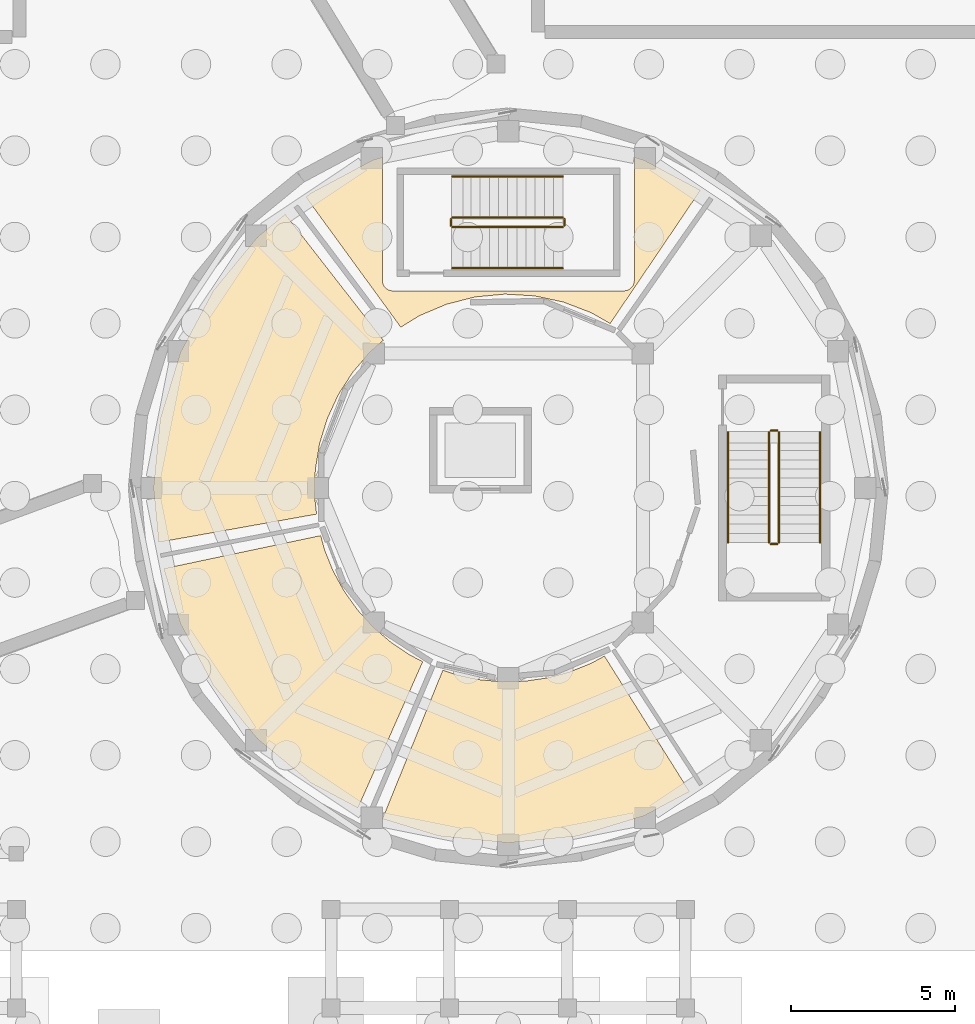
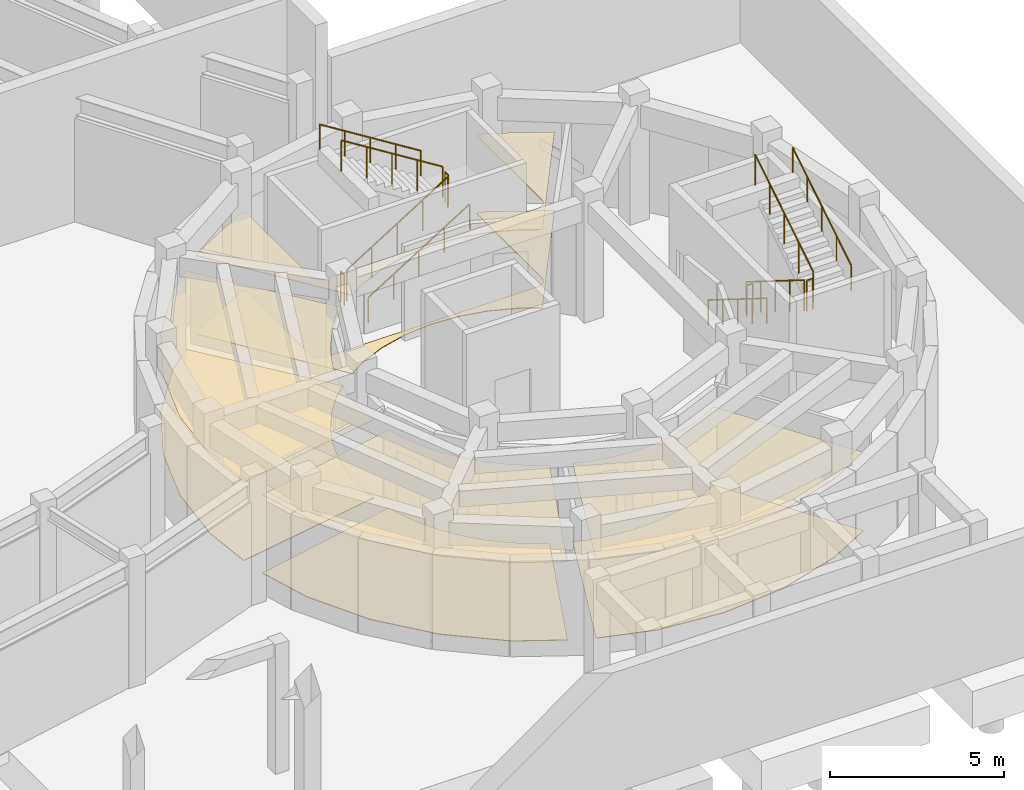
# One storey, part 55 of 57: 12 railings, 8 coverings.
"""IFC4 building model written with IfcOpenShell, lengths in metres."""

from ifc_helpers import new_model, si_unit, direction, frame, origin, origin_2d, place, context, subcontext, project, spatial, polyline, circle, outline, extrude, material, layer, layer_set, type_object, element, save


model = new_model("IFC4")

# Units and contexts
model_context = context("Model", 3, precision=1e-05, world=origin(), true_north=direction((0.0, 1.0)))
body_context = subcontext(model_context, "Body", "Model", "MODEL_VIEW")
ifc_project = project(units=[si_unit("LENGTHUNIT", "METRE"), si_unit("AREAUNIT", "SQUARE_METRE"), si_unit("VOLUMEUNIT", "CUBIC_METRE"), si_unit("PLANEANGLEUNIT", "RADIAN"), si_unit("MASSUNIT", "GRAM", prefix="KILO")], contexts=[model_context])

# Site, building, storey
site_placement = place(None, origin())
site = spatial("IfcSite", under=ifc_project, at=site_placement, CompositionType="ELEMENT")
building_placement = place(site_placement, origin())
building = spatial("IfcBuilding", under=site, at=building_placement, Name="Aldenvaro Health Centre", CompositionType="ELEMENT")
storey_placement = place(building_placement, frame((0.0, 0.0, -4.550048828125)))
storey = spatial("IfcBuildingStorey", under=building, at=storey_placement, Name="B1", CompositionType="ELEMENT", Elevation=-4.550048828125)

# Coverings
ifc_material_1 = material(Name="Antimicrobial Mineral Fibre Ceiling")
ifc_layer_1 = layer(ifc_material_1, 0.01806640625, Name="Antimicrobial Mineral Fibre Ceiling")
ifc_layer_set_1 = layer_set([ifc_layer_1], Name="Antimicrobial Mineral Fibre Ceiling")
covering_type_1 = type_object("IfcCoveringType", Name="COV-CLG-ACT18", PredefinedType="CEILING", material=ifc_layer_set_1)
covering_1_placement = place(storey_placement, frame((0.0, 0.0, 2.75)))
element("IfcCovering", 1, at=covering_1_placement, inside=storey, type_object=covering_type_1, Name="D6-B1-R02 Suspended Ceiling", PredefinedType="CEILING", context=body_context, shape_type="SweptSolid", body=[
    extrude(outline(polyline([(150.283935546875, 22.64111328125), (150.260986328125, 22.616943359375), (149.761962890625, 22.031982421875), (149.742919921875, 22.006103515625), (149.327880859375, 21.35888671875), (149.31201171875, 21.330078125), (148.989013671875, 20.633056640625), (148.97705078125, 20.60302734375), (148.7509765625, 19.867919921875), (148.743896484375, 19.8359375), (148.618896484375, 19.076904296875), (148.615966796875, 19.044921875), (148.594970703125, 18.277099609375), (148.595947265625, 18.243896484375), (148.655029296875, 17.702880859375), (143.843994140625, 16.845947265625), (143.681884765625, 18.5), (143.888916015625, 20.610107421875), (144.5048828125, 22.639892578125), (145.50390625, 24.510009765625), (146.85009765625, 26.14990234375), (147.698974609375, 26.845947265625), (150.68994140625, 23.00390625), (150.283935546875, 22.64111328125)])), origin(), (0.0, 0.0, 1.0), 0.01806640625),
])
covering_2_placement = place(storey_placement, frame((0.0, 0.0, 2.75)))
element("IfcCovering", 2, at=covering_2_placement, inside=storey, type_object=covering_type_1, Name="D6-B1-R03 Suspended Ceiling", PredefinedType="CEILING", context=body_context, shape_type="SweptSolid", body=[
    extrude(outline(polyline([(148.89697265625, 16.62109375), (148.906005859375, 16.593994140625), (149.157958984375, 15.972900390625), (149.169921875, 15.947998046875), (149.492919921875, 15.361083984375), (149.508056640625, 15.3369140625), (149.89794921875, 14.7919921875), (149.916015625, 14.77001953125), (150.367919921875, 14.27490234375), (150.387939453125, 14.2548828125), (150.89501953125, 13.81689453125), (150.91796875, 13.800048828125), (151.472900390625, 13.425048828125), (151.4970703125, 13.409912109375), (151.89208984375, 13.20703125), (149.9140625, 8.742919921875), (148.489990234375, 9.50390625), (146.85009765625, 10.85009765625), (145.50390625, 12.489990234375), (144.5048828125, 14.360107421875), (143.9951171875, 16.041015625), (148.780029296875, 17.049072265625), (148.89697265625, 16.62109375)])), origin(), (0.0, 0.0, 1.0), 0.01806640625),
])
covering_3_placement = place(storey_placement, frame((0.0, 0.0, 2.75)))
element("IfcCovering", 3, at=covering_3_placement, inside=storey, type_object=covering_type_1, Name="D6-B1-R04 Suspended Ceiling", PredefinedType="CEILING", context=body_context, shape_type="SweptSolid", body=[
    extrude(outline(polyline([(152.924072265625, 12.803955078125), (152.951904296875, 12.797119140625), (153.60693359375, 12.657958984375), (153.635009765625, 12.654052734375), (154.302978515625, 12.593994140625), (154.3310546875, 12.593017578125), (155.0009765625, 12.612060546875), (155.029052734375, 12.614013671875), (155.69189453125, 12.7119140625), (155.719970703125, 12.718017578125), (156.366943359375, 12.89306640625), (156.39306640625, 12.902099609375), (157.014892578125, 13.152099609375), (157.041015625, 13.1640625), (157.429931640625, 13.3779296875), (160.02294921875, 9.243896484375), (158.639892578125, 8.5048828125), (156.610107421875, 7.888916015625), (154.5, 7.681884765625), (152.389892578125, 7.888916015625), (150.6630859375, 8.4130859375), (152.50390625, 12.947021484375), (152.924072265625, 12.803955078125)])), origin(), (0.0, 0.0, 1.0), 0.01806640625),
])
ifc_material_2 = material(Name="Hygienic Sealed Gypsum Ceiling")
ifc_layer_2 = layer(ifc_material_2, 0.02490234375, Name="Hygienic Sealed Gypsum Ceiling")
ifc_layer_set_2 = layer_set([ifc_layer_2], Name="Hygienic Sealed Gypsum Ceiling")
covering_type_2 = type_object("IfcCoveringType", Name="COV-CLG-GYP25", PredefinedType="CEILING", material=ifc_layer_set_2)
covering_4_placement = place(storey_placement, frame((0.0, 0.0, 2.75)))
element("IfcCovering", 4, at=covering_4_placement, inside=storey, type_object=covering_type_2, Name="D6-B1-R01 Suspended Ceiling", PredefinedType="CEILING", context=body_context, shape_type="SweptSolid", body=[
    extrude(outline(polyline([(157.0439453125, 23.833984375), (157.028076171875, 23.842041015625), (157.010986328125, 23.84912109375), (156.200927734375, 24.158935546875), (156.18310546875, 24.1650390625), (156.166015625, 24.169921875), (155.318115234375, 24.35205078125), (155.300048828125, 24.35595703125), (155.281005859375, 24.35693359375), (154.4150390625, 24.408935546875), (154.39697265625, 24.408935546875), (154.37890625, 24.407958984375), (153.514892578125, 24.326904296875), (153.4970703125, 24.323974609375), (153.47900390625, 24.320068359375), (152.636962890625, 24.10791015625), (152.6201171875, 24.10302734375), (152.60302734375, 24.095947265625), (151.803955078125, 23.758056640625), (151.787109375, 23.7509765625), (151.77099609375, 23.740966796875), (151.221923828125, 23.402099609375), (148.33203125, 27.365966796875), (148.489990234375, 27.49609375), (150.360107421875, 28.4951171875), (150.659912109375, 28.5859375), (150.659912109375, 24.830078125), (150.659912109375, 24.818115234375), (150.660888671875, 24.81005859375), (150.6630859375, 24.787109375), (150.6640625, 24.779052734375), (150.6689453125, 24.756103515625), (150.6708984375, 24.748046875), (150.677001953125, 24.72607421875), (150.679931640625, 24.718994140625), (150.68896484375, 24.697021484375), (150.69189453125, 24.68994140625), (150.7041015625, 24.6689453125), (150.7080078125, 24.662109375), (150.720947265625, 24.64306640625), (150.72509765625, 24.635986328125), (150.739990234375, 24.617919921875), (150.74609375, 24.612060546875), (150.761962890625, 24.595947265625), (150.76806640625, 24.590087890625), (150.785888671875, 24.574951171875), (150.79296875, 24.571044921875), (150.81201171875, 24.55810546875), (150.819091796875, 24.553955078125), (150.840087890625, 24.5419921875), (150.846923828125, 24.5390625), (150.868896484375, 24.530029296875), (150.8759765625, 24.527099609375), (150.89794921875, 24.52099609375), (150.906005859375, 24.51904296875), (150.928955078125, 24.513916015625), (150.93701171875, 24.512939453125), (150.9599609375, 24.510986328125), (150.968017578125, 24.510009765625), (150.97998046875, 24.510009765625), (158.02001953125, 24.510009765625), (158.031982421875, 24.510009765625), (158.0400390625, 24.510986328125), (158.06298828125, 24.512939453125), (158.071044921875, 24.513916015625), (158.093994140625, 24.51904296875), (158.10205078125, 24.52099609375), (158.1240234375, 24.527099609375), (158.131103515625, 24.530029296875), (158.153076171875, 24.5390625), (158.159912109375, 24.5419921875), (158.180908203125, 24.553955078125), (158.18798828125, 24.55810546875), (158.20703125, 24.571044921875), (158.214111328125, 24.574951171875), (158.23193359375, 24.590087890625), (158.238037109375, 24.595947265625), (158.25390625, 24.612060546875), (158.260009765625, 24.617919921875), (158.27490234375, 24.635986328125), (158.279052734375, 24.64306640625), (158.2919921875, 24.662109375), (158.2958984375, 24.6689453125), (158.30810546875, 24.68994140625), (158.31103515625, 24.697021484375), (158.320068359375, 24.718994140625), (158.322998046875, 24.72607421875), (158.3291015625, 24.748046875), (158.3310546875, 24.756103515625), (158.3359375, 24.779052734375), (158.3369140625, 24.787109375), (158.339111328125, 24.81005859375), (158.340087890625, 24.818115234375), (158.340087890625, 24.830078125), (158.340087890625, 28.5859375), (158.639892578125, 28.4951171875), (160.35595703125, 27.577880859375), (157.60498046875, 23.513916015625), (157.0439453125, 23.833984375)])), origin(), (0.0, 0.0, 1.0), 0.025146484375),
])
ifc_material_3 = material(Name="Polished Epoxy Terrazzo Flooring")
ifc_layer_3 = layer(ifc_material_3, 0.02197265625, Name="Polished Epoxy Terrazzo Flooring")
ifc_layer_set_3 = layer_set([ifc_layer_3], Name="Polished Epoxy Terrazzo Flooring")
covering_type_3 = type_object("IfcCoveringType", Name="COV-FLR-TER22", PredefinedType="FLOORING", material=ifc_layer_set_3)
covering_5_placement = place(storey_placement, origin())
element("IfcCovering", 5, at=covering_5_placement, inside=storey, type_object=covering_type_3, Name="D6-B1-R01 Flooring", PredefinedType="FLOORING", context=body_context, shape_type="SweptSolid", body=[
    extrude(outline(polyline([(157.0439453125, 23.833984375), (157.028076171875, 23.842041015625), (157.010986328125, 23.84912109375), (156.200927734375, 24.158935546875), (156.18310546875, 24.1650390625), (156.166015625, 24.169921875), (155.318115234375, 24.35205078125), (155.300048828125, 24.35595703125), (155.281005859375, 24.35693359375), (154.4150390625, 24.408935546875), (154.39697265625, 24.408935546875), (154.37890625, 24.407958984375), (153.514892578125, 24.326904296875), (153.4970703125, 24.323974609375), (153.47900390625, 24.320068359375), (152.636962890625, 24.10791015625), (152.6201171875, 24.10302734375), (152.60302734375, 24.095947265625), (151.803955078125, 23.758056640625), (151.787109375, 23.7509765625), (151.77099609375, 23.740966796875), (151.221923828125, 23.402099609375), (148.33203125, 27.365966796875), (148.489990234375, 27.49609375), (150.360107421875, 28.4951171875), (150.659912109375, 28.5859375), (150.659912109375, 24.830078125), (150.659912109375, 24.818115234375), (150.660888671875, 24.81005859375), (150.6630859375, 24.787109375), (150.6640625, 24.779052734375), (150.6689453125, 24.756103515625), (150.6708984375, 24.748046875), (150.677001953125, 24.72607421875), (150.679931640625, 24.718994140625), (150.68896484375, 24.697021484375), (150.69189453125, 24.68994140625), (150.7041015625, 24.6689453125), (150.7080078125, 24.662109375), (150.720947265625, 24.64306640625), (150.72509765625, 24.635986328125), (150.739990234375, 24.617919921875), (150.74609375, 24.612060546875), (150.761962890625, 24.595947265625), (150.76806640625, 24.590087890625), (150.785888671875, 24.574951171875), (150.79296875, 24.571044921875), (150.81201171875, 24.55810546875), (150.819091796875, 24.553955078125), (150.840087890625, 24.5419921875), (150.846923828125, 24.5390625), (150.868896484375, 24.530029296875), (150.8759765625, 24.527099609375), (150.89794921875, 24.52099609375), (150.906005859375, 24.51904296875), (150.928955078125, 24.513916015625), (150.93701171875, 24.512939453125), (150.9599609375, 24.510986328125), (150.968017578125, 24.510009765625), (150.97998046875, 24.510009765625), (158.02001953125, 24.510009765625), (158.031982421875, 24.510009765625), (158.0400390625, 24.510986328125), (158.06298828125, 24.512939453125), (158.071044921875, 24.513916015625), (158.093994140625, 24.51904296875), (158.10205078125, 24.52099609375), (158.1240234375, 24.527099609375), (158.131103515625, 24.530029296875), (158.153076171875, 24.5390625), (158.159912109375, 24.5419921875), (158.180908203125, 24.553955078125), (158.18798828125, 24.55810546875), (158.20703125, 24.571044921875), (158.214111328125, 24.574951171875), (158.23193359375, 24.590087890625), (158.238037109375, 24.595947265625), (158.25390625, 24.612060546875), (158.260009765625, 24.617919921875), (158.27490234375, 24.635986328125), (158.279052734375, 24.64306640625), (158.2919921875, 24.662109375), (158.2958984375, 24.6689453125), (158.30810546875, 24.68994140625), (158.31103515625, 24.697021484375), (158.320068359375, 24.718994140625), (158.322998046875, 24.72607421875), (158.3291015625, 24.748046875), (158.3310546875, 24.756103515625), (158.3359375, 24.779052734375), (158.3369140625, 24.787109375), (158.339111328125, 24.81005859375), (158.340087890625, 24.818115234375), (158.340087890625, 24.830078125), (158.340087890625, 28.5859375), (158.639892578125, 28.4951171875), (160.35595703125, 27.577880859375), (157.60498046875, 23.513916015625), (157.0439453125, 23.833984375)])), origin(), (0.0, 0.0, 1.0), 0.02197265625),
])
covering_6_placement = place(storey_placement, origin())
element("IfcCovering", 6, at=covering_6_placement, inside=storey, type_object=covering_type_3, Name="D6-B1-R02 Flooring", PredefinedType="FLOORING", context=body_context, shape_type="SweptSolid", body=[
    extrude(outline(polyline([(150.283935546875, 22.64111328125), (150.260986328125, 22.616943359375), (149.761962890625, 22.031982421875), (149.742919921875, 22.006103515625), (149.327880859375, 21.35888671875), (149.31201171875, 21.330078125), (148.989013671875, 20.633056640625), (148.97705078125, 20.60302734375), (148.7509765625, 19.867919921875), (148.743896484375, 19.8359375), (148.618896484375, 19.076904296875), (148.615966796875, 19.044921875), (148.594970703125, 18.277099609375), (148.595947265625, 18.243896484375), (148.655029296875, 17.702880859375), (143.843994140625, 16.845947265625), (143.681884765625, 18.5), (143.888916015625, 20.610107421875), (144.5048828125, 22.639892578125), (145.50390625, 24.510009765625), (146.85009765625, 26.14990234375), (147.698974609375, 26.845947265625), (150.68994140625, 23.00390625), (150.283935546875, 22.64111328125)])), origin(), (0.0, 0.0, 1.0), 0.02197265625),
])
covering_7_placement = place(storey_placement, origin())
element("IfcCovering", 7, at=covering_7_placement, inside=storey, type_object=covering_type_3, Name="D6-B1-R03 Flooring", PredefinedType="FLOORING", context=body_context, shape_type="SweptSolid", body=[
    extrude(outline(polyline([(148.89697265625, 16.62109375), (148.906005859375, 16.593994140625), (149.157958984375, 15.972900390625), (149.169921875, 15.947998046875), (149.492919921875, 15.361083984375), (149.508056640625, 15.3369140625), (149.89794921875, 14.7919921875), (149.916015625, 14.77001953125), (150.367919921875, 14.27490234375), (150.387939453125, 14.2548828125), (150.89501953125, 13.81689453125), (150.91796875, 13.800048828125), (151.472900390625, 13.425048828125), (151.4970703125, 13.409912109375), (151.89208984375, 13.20703125), (149.9140625, 8.742919921875), (148.489990234375, 9.50390625), (146.85009765625, 10.85009765625), (145.50390625, 12.489990234375), (144.5048828125, 14.360107421875), (143.9951171875, 16.041015625), (148.780029296875, 17.049072265625), (148.89697265625, 16.62109375)])), origin(), (0.0, 0.0, 1.0), 0.02197265625),
])
covering_8_placement = place(storey_placement, origin())
element("IfcCovering", 8, at=covering_8_placement, inside=storey, type_object=covering_type_3, Name="D6-B1-R04 Flooring", PredefinedType="FLOORING", context=body_context, shape_type="SweptSolid", body=[
    extrude(outline(polyline([(152.924072265625, 12.803955078125), (152.951904296875, 12.797119140625), (153.60693359375, 12.657958984375), (153.635009765625, 12.654052734375), (154.302978515625, 12.593994140625), (154.3310546875, 12.593017578125), (155.0009765625, 12.612060546875), (155.029052734375, 12.614013671875), (155.69189453125, 12.7119140625), (155.719970703125, 12.718017578125), (156.366943359375, 12.89306640625), (156.39306640625, 12.902099609375), (157.014892578125, 13.152099609375), (157.041015625, 13.1640625), (157.429931640625, 13.3779296875), (160.02294921875, 9.243896484375), (158.639892578125, 8.5048828125), (156.610107421875, 7.888916015625), (154.5, 7.681884765625), (152.389892578125, 7.888916015625), (150.6630859375, 8.4130859375), (152.50390625, 12.947021484375), (152.924072265625, 12.803955078125)])), origin(), (0.0, 0.0, 1.0), 0.02197265625),
])

# Railings
ifc_material_4 = material(Name="Painted Architectural Steel", Category="steel")
railing_type_1 = type_object("IfcRailingType", Name="RL-BAL-INT", PredefinedType="BALUSTRADE", material=ifc_material_4)
railing_1_placement = place(storey_placement, frame((162.449951171875, 20.199951171875, 0.175048828125)))
element("IfcRailing", 9, at=railing_1_placement, inside=storey, type_object=railing_type_1, Name="B1 ST-11 stair guard 1", PredefinedType="BALUSTRADE", context=body_context, shape_type="SweptSolid", body=[
    extrude(circle(Radius=0.02392578125, at=origin_2d()), frame((0.0, 0.0, 1.076171875), z_axis=(0.0, -0.847977533471, 0.530032171408), x_axis=(1.0, 0.0, 0.0)), (0.0, 0.0, 1.0), 3.962158203125),
    extrude(circle(Radius=0.02099609375, at=origin_2d()), origin(), (0.0, 0.0, 1.0), 1.052001953125),
    extrude(circle(Radius=0.02099609375, at=origin_2d()), frame((0.0, -0.83984375, 0.52490234375)), (0.0, 0.0, 1.0), 1.052001953125),
    extrude(circle(Radius=0.02099609375, at=origin_2d()), frame((0.0, -1.679931640625, 1.050048828125)), (0.0, 0.0, 1.0), 1.052001953125),
    extrude(circle(Radius=0.02099609375, at=origin_2d()), frame((0.0, -2.52001953125, 1.5751953125)), (0.0, 0.0, 1.0), 1.052001953125),
    extrude(circle(Radius=0.02099609375, at=origin_2d()), frame((0.0, -3.35986328125, 2.10009765625)), (0.0, 0.0, 1.0), 1.052001953125),
])
railing_2_placement = place(storey_placement, frame((162.5, 16.7900390625, 2.275146484375)))
element("IfcRailing", 10, at=railing_2_placement, inside=storey, type_object=railing_type_1, Name="B1 ST-11 stair guard 2", PredefinedType="BALUSTRADE", context=body_context, shape_type="SweptSolid", body=[
    extrude(circle(Radius=0.02392578125, at=origin_2d()), frame((0.0, 0.0, 1.076171875), z_axis=(1.0, 0.0, 0.0), x_axis=(0.0, 1.0, 0.0)), (0.0, 0.0, 1.0), 0.199951171875),
    extrude(circle(Radius=0.02099609375, at=origin_2d()), origin(), (0.0, 0.0, 1.0), 1.052001953125),
    extrude(circle(Radius=0.02099609375, at=origin_2d()), frame((0.199951171875, 0.0, 0.0)), (0.0, 0.0, 1.0), 1.052001953125),
])
railing_3_placement = place(storey_placement, frame((162.75, 16.840087890625, 2.449951171875)))
element("IfcRailing", 11, at=railing_3_placement, inside=storey, type_object=railing_type_1, Name="B1 ST-11 stair guard 3", PredefinedType="BALUSTRADE", context=body_context, shape_type="SweptSolid", body=[
    extrude(circle(Radius=0.02392578125, at=origin_2d()), frame((0.0, 0.0, 1.076171875), z_axis=(0.0, 0.847977533471, 0.530032171408), x_axis=(-1.0, 0.0, 0.0)), (0.0, 0.0, 1.0), 3.962158203125),
    extrude(circle(Radius=0.02099609375, at=origin_2d()), origin(), (0.0, 0.0, 1.0), 1.052001953125),
    extrude(circle(Radius=0.02099609375, at=origin_2d()), frame((0.0, 0.83984375, 0.52490234375)), (0.0, 0.0, 1.0), 1.052001953125),
    extrude(circle(Radius=0.02099609375, at=origin_2d()), frame((0.0, 1.679931640625, 1.050048828125)), (0.0, 0.0, 1.0), 1.052001953125),
    extrude(circle(Radius=0.02099609375, at=origin_2d()), frame((0.0, 2.52001953125, 1.5751953125)), (0.0, 0.0, 1.0), 1.052001953125),
    extrude(circle(Radius=0.02099609375, at=origin_2d()), frame((0.0, 3.35986328125, 2.10009765625)), (0.0, 0.0, 1.0), 1.052001953125),
])
railing_4_placement = place(storey_placement, frame((162.5, 20.25, 0.0)))
element("IfcRailing", 12, at=railing_4_placement, inside=storey, type_object=railing_type_1, Name="B1 ST-11 stair guard 4", PredefinedType="BALUSTRADE", context=body_context, shape_type="SweptSolid", body=[
    extrude(circle(Radius=0.02392578125, at=origin_2d()), frame((0.0, 0.0, 1.076171875), z_axis=(1.0, 0.0, 0.0), x_axis=(0.0, 1.0, 0.0)), (0.0, 0.0, 1.0), 0.199951171875),
    extrude(circle(Radius=0.02099609375, at=origin_2d()), origin(), (0.0, 0.0, 1.0), 1.052001953125),
    extrude(circle(Radius=0.02099609375, at=origin_2d()), frame((0.199951171875, 0.0, 0.0)), (0.0, 0.0, 1.0), 1.052001953125),
])
railing_5_placement = place(storey_placement, frame((152.800048828125, 26.449951171875, 0.175048828125)))
element("IfcRailing", 13, at=railing_5_placement, inside=storey, type_object=railing_type_1, Name="B1 ST-12 stair guard 1", PredefinedType="BALUSTRADE", context=body_context, shape_type="SweptSolid", body=[
    extrude(circle(Radius=0.02392578125, at=origin_2d()), frame((0.0, 0.0, 1.076171875), z_axis=(0.847977533471, 0.0, 0.530032171408), x_axis=(0.0, 1.0, 0.0)), (0.0, 0.0, 1.0), 3.962158203125),
    extrude(circle(Radius=0.02099609375, at=origin_2d()), origin(), (0.0, 0.0, 1.0), 1.052001953125),
    extrude(circle(Radius=0.02099609375, at=origin_2d()), frame((0.83984375, 0.0, 0.52490234375)), (0.0, 0.0, 1.0), 1.052001953125),
    extrude(circle(Radius=0.02099609375, at=origin_2d()), frame((1.679931640625, 0.0, 1.050048828125)), (0.0, 0.0, 1.0), 1.052001953125),
    extrude(circle(Radius=0.02099609375, at=origin_2d()), frame((2.52001953125, 0.0, 1.5751953125)), (0.0, 0.0, 1.0), 1.052001953125),
    extrude(circle(Radius=0.02099609375, at=origin_2d()), frame((3.35986328125, 0.0, 2.10009765625)), (0.0, 0.0, 1.0), 1.052001953125),
])
railing_6_placement = place(storey_placement, frame((156.2099609375, 26.5, 2.275146484375)))
element("IfcRailing", 14, at=railing_6_placement, inside=storey, type_object=railing_type_1, Name="B1 ST-12 stair guard 2", PredefinedType="BALUSTRADE", context=body_context, shape_type="SweptSolid", body=[
    extrude(circle(Radius=0.02392578125, at=origin_2d()), frame((0.0, 0.0, 1.076171875), z_axis=(0.0, 1.0, 0.0), x_axis=(-1.0, 0.0, 0.0)), (0.0, 0.0, 1.0), 0.199951171875),
    extrude(circle(Radius=0.02099609375, at=origin_2d()), origin(), (0.0, 0.0, 1.0), 1.052001953125),
    extrude(circle(Radius=0.02099609375, at=origin_2d()), frame((0.0, 0.199951171875, 0.0)), (0.0, 0.0, 1.0), 1.052001953125),
])
railing_7_placement = place(storey_placement, frame((156.159912109375, 26.75, 2.449951171875)))
element("IfcRailing", 15, at=railing_7_placement, inside=storey, type_object=railing_type_1, Name="B1 ST-12 stair guard 3", PredefinedType="BALUSTRADE", context=body_context, shape_type="SweptSolid", body=[
    extrude(circle(Radius=0.02392578125, at=origin_2d()), frame((0.0, 0.0, 1.076171875), z_axis=(-0.847977533471, 0.0, 0.530032171408), x_axis=(0.0, -1.0, 0.0)), (0.0, 0.0, 1.0), 3.962158203125),
    extrude(circle(Radius=0.02099609375, at=origin_2d()), origin(), (0.0, 0.0, 1.0), 1.052001953125),
    extrude(circle(Radius=0.02099609375, at=origin_2d()), frame((-0.83984375, 0.0, 0.52490234375)), (0.0, 0.0, 1.0), 1.052001953125),
    extrude(circle(Radius=0.02099609375, at=origin_2d()), frame((-1.679931640625, 0.0, 1.050048828125)), (0.0, 0.0, 1.0), 1.052001953125),
    extrude(circle(Radius=0.02099609375, at=origin_2d()), frame((-2.52001953125, 0.0, 1.5751953125)), (0.0, 0.0, 1.0), 1.052001953125),
    extrude(circle(Radius=0.02099609375, at=origin_2d()), frame((-3.35986328125, 0.0, 2.10009765625)), (0.0, 0.0, 1.0), 1.052001953125),
])
railing_8_placement = place(storey_placement, frame((152.75, 26.5, 0.0)))
element("IfcRailing", 16, at=railing_8_placement, inside=storey, type_object=railing_type_1, Name="B1 ST-12 stair guard 4", PredefinedType="BALUSTRADE", context=body_context, shape_type="SweptSolid", body=[
    extrude(circle(Radius=0.02392578125, at=origin_2d()), frame((0.0, 0.0, 1.076171875), z_axis=(0.0, 1.0, 0.0), x_axis=(-1.0, 0.0, 0.0)), (0.0, 0.0, 1.0), 0.199951171875),
    extrude(circle(Radius=0.02099609375, at=origin_2d()), origin(), (0.0, 0.0, 1.0), 1.052001953125),
    extrude(circle(Radius=0.02099609375, at=origin_2d()), frame((0.0, 0.199951171875, 0.0)), (0.0, 0.0, 1.0), 1.052001953125),
])
railing_type_2 = type_object("IfcRailingType", Name="RL-HND-INT", PredefinedType="HANDRAIL", material=ifc_material_4)
railing_9_placement = place(storey_placement, frame((161.199951171875, 20.199951171875, 0.175048828125)))
element("IfcRailing", 17, at=railing_9_placement, inside=storey, type_object=railing_type_2, Name="B1 ST-11 stair handrail 1", PredefinedType="HANDRAIL", context=body_context, shape_type="SweptSolid", body=[
    extrude(circle(Radius=0.02392578125, at=origin_2d()), frame((0.0, 0.0, 0.8759765625), z_axis=(0.0, -0.847977533471, 0.530032171408), x_axis=(1.0, 0.0, 0.0)), (0.0, 0.0, 1.0), 3.962158203125),
    extrude(circle(Radius=0.02099609375, at=origin_2d()), origin(), (0.0, 0.0, 1.0), 0.851806640625),
    extrude(circle(Radius=0.02099609375, at=origin_2d()), frame((0.0, -0.83984375, 0.52490234375)), (0.0, 0.0, 1.0), 0.851806640625),
    extrude(circle(Radius=0.02099609375, at=origin_2d()), frame((0.0, -1.679931640625, 1.050048828125)), (0.0, 0.0, 1.0), 0.851806640625),
    extrude(circle(Radius=0.02099609375, at=origin_2d()), frame((0.0, -2.52001953125, 1.5751953125)), (0.0, 0.0, 1.0), 0.851806640625),
    extrude(circle(Radius=0.02099609375, at=origin_2d()), frame((0.0, -3.35986328125, 2.10009765625)), (0.0, 0.0, 1.0), 0.851806640625),
])
railing_10_placement = place(storey_placement, frame((164.0, 16.840087890625, 2.449951171875)))
element("IfcRailing", 18, at=railing_10_placement, inside=storey, type_object=railing_type_2, Name="B1 ST-11 stair handrail 2", PredefinedType="HANDRAIL", context=body_context, shape_type="SweptSolid", body=[
    extrude(circle(Radius=0.02392578125, at=origin_2d()), frame((0.0, 0.0, 0.8759765625), z_axis=(0.0, 0.847977533471, 0.530032171408), x_axis=(-1.0, 0.0, 0.0)), (0.0, 0.0, 1.0), 3.962158203125),
    extrude(circle(Radius=0.02099609375, at=origin_2d()), origin(), (0.0, 0.0, 1.0), 0.851806640625),
    extrude(circle(Radius=0.02099609375, at=origin_2d()), frame((0.0, 0.83984375, 0.52490234375)), (0.0, 0.0, 1.0), 0.851806640625),
    extrude(circle(Radius=0.02099609375, at=origin_2d()), frame((0.0, 1.679931640625, 1.050048828125)), (0.0, 0.0, 1.0), 0.851806640625),
    extrude(circle(Radius=0.02099609375, at=origin_2d()), frame((0.0, 2.52001953125, 1.5751953125)), (0.0, 0.0, 1.0), 0.851806640625),
    extrude(circle(Radius=0.02099609375, at=origin_2d()), frame((0.0, 3.35986328125, 2.10009765625)), (0.0, 0.0, 1.0), 0.851806640625),
])
railing_11_placement = place(storey_placement, frame((152.800048828125, 25.199951171875, 0.175048828125)))
element("IfcRailing", 19, at=railing_11_placement, inside=storey, type_object=railing_type_2, Name="B1 ST-12 stair handrail 1", PredefinedType="HANDRAIL", context=body_context, shape_type="SweptSolid", body=[
    extrude(circle(Radius=0.02392578125, at=origin_2d()), frame((0.0, 0.0, 0.8759765625), z_axis=(0.847977533471, 0.0, 0.530032171408), x_axis=(0.0, 1.0, 0.0)), (0.0, 0.0, 1.0), 3.962158203125),
    extrude(circle(Radius=0.02099609375, at=origin_2d()), origin(), (0.0, 0.0, 1.0), 0.851806640625),
    extrude(circle(Radius=0.02099609375, at=origin_2d()), frame((0.83984375, 0.0, 0.52490234375)), (0.0, 0.0, 1.0), 0.851806640625),
    extrude(circle(Radius=0.02099609375, at=origin_2d()), frame((1.679931640625, 0.0, 1.050048828125)), (0.0, 0.0, 1.0), 0.851806640625),
    extrude(circle(Radius=0.02099609375, at=origin_2d()), frame((2.52001953125, 0.0, 1.5751953125)), (0.0, 0.0, 1.0), 0.851806640625),
    extrude(circle(Radius=0.02099609375, at=origin_2d()), frame((3.35986328125, 0.0, 2.10009765625)), (0.0, 0.0, 1.0), 0.851806640625),
])
railing_12_placement = place(storey_placement, frame((156.159912109375, 28.0, 2.449951171875)))
element("IfcRailing", 20, at=railing_12_placement, inside=storey, type_object=railing_type_2, Name="B1 ST-12 stair handrail 2", PredefinedType="HANDRAIL", context=body_context, shape_type="SweptSolid", body=[
    extrude(circle(Radius=0.02392578125, at=origin_2d()), frame((0.0, 0.0, 0.8759765625), z_axis=(-0.847977533471, 0.0, 0.530032171408), x_axis=(0.0, -1.0, 0.0)), (0.0, 0.0, 1.0), 3.962158203125),
    extrude(circle(Radius=0.02099609375, at=origin_2d()), origin(), (0.0, 0.0, 1.0), 0.851806640625),
    extrude(circle(Radius=0.02099609375, at=origin_2d()), frame((-0.83984375, 0.0, 0.52490234375)), (0.0, 0.0, 1.0), 0.851806640625),
    extrude(circle(Radius=0.02099609375, at=origin_2d()), frame((-1.679931640625, 0.0, 1.050048828125)), (0.0, 0.0, 1.0), 0.851806640625),
    extrude(circle(Radius=0.02099609375, at=origin_2d()), frame((-2.52001953125, 0.0, 1.5751953125)), (0.0, 0.0, 1.0), 0.851806640625),
    extrude(circle(Radius=0.02099609375, at=origin_2d()), frame((-3.35986328125, 0.0, 2.10009765625)), (0.0, 0.0, 1.0), 0.851806640625),
])

save(model, "model.ifc")
